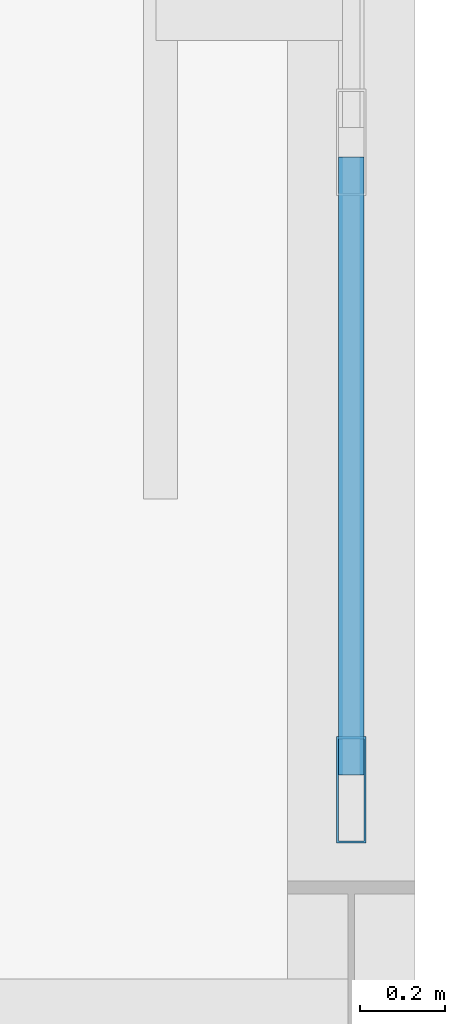
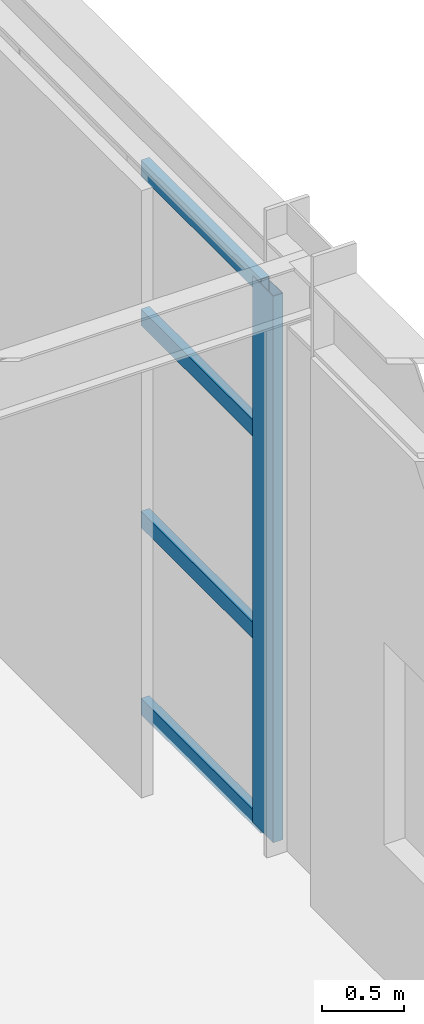
# One storey, part 42 of 83: 5 members, 1 element without a shape of its own.
"""IFC4 building model written with IfcOpenShell, lengths in metres."""

from ifc_helpers import new_model, si_unit, direction, frame, origin, origin_2d, place, context, subcontext, project, spatial, hollow_rectangle, extrude, material, layer, layer_set, material_profile, profile_set, type_object, element, aggregate, save


model = new_model("IFC4")

# Units and contexts
model_context = context("Model", 3, precision=1e-05, world=origin(), true_north=direction((0.0, 1.0)))
body_context = subcontext(model_context, "Body", "Model", "MODEL_VIEW")
ifc_project = project(units=[si_unit("LENGTHUNIT", "METRE"), si_unit("AREAUNIT", "SQUARE_METRE"), si_unit("VOLUMEUNIT", "CUBIC_METRE"), si_unit("PLANEANGLEUNIT", "RADIAN"), si_unit("MASSUNIT", "GRAM", prefix="KILO")], contexts=[model_context])

# Site, building, storey
site_placement = place(None, origin())
site = spatial("IfcSite", under=ifc_project, at=site_placement, CompositionType="ELEMENT")
building_placement = place(site_placement, origin())
building = spatial("IfcBuilding", under=site, at=building_placement, Name="Solvadek Multi-Sports Hall", CompositionType="ELEMENT")
storey_placement = place(building_placement, origin())
storey = spatial("IfcBuildingStorey", under=building, at=storey_placement, Name="L00", CompositionType="ELEMENT", Elevation=0.0)

# Curtain wall, members
ifc_material = material(Name="Anodised aluminium", Category="aluminium")
ifc_layer = layer(ifc_material, 0.159912109375, Name="Anodised aluminium")
ifc_layer_set = layer_set([ifc_layer], Name="Anodised aluminium")
curtain_wall_type = type_object("IfcCurtainWallType", Name="ENV-CW-624X405", PredefinedType="USERDEFINED", material=ifc_layer_set)
curtain_wall_placement = place(storey_placement, origin())
curtain_wall = element("IfcCurtainWall", 1, at=curtain_wall_placement, inside=storey, type_object=curtain_wall_type, Name="L00 Perimeter Bay Curtain Wall #144", ObjectType="CURTAIN WALL", PredefinedType="USERDEFINED")
ifc_material_profile_1 = material_profile(ifc_material, hollow_rectangle(XDim=0.070068359375, YDim=0.25, WallThickness=0.0048828125, at=origin_2d()), Name="ALU-M 250x70x5")
ifc_profile_set_1 = profile_set([ifc_material_profile_1], Name="Anodised aluminium")
member_type_1 = type_object("IfcMemberType", Name="ENV-CWM-05", PredefinedType="MULLION", material=ifc_profile_set_1)
member_1_placement = place(storey_placement, frame((161.39990234375, 49.715087890625, 0.0), z_axis=(0.0, 0.0, 1.0), x_axis=(-1.0, 0.0, 0.0)))
member_1 = element("IfcMember", 2, at=member_1_placement, type_object=member_type_1, Name="CW-52 mullion 1", PredefinedType="MULLION", context=body_context, shape_type="SweptSolid", body=[
    extrude(hollow_rectangle(XDim=0.070068359375, YDim=0.25, WallThickness=0.0048828125, at=origin_2d()), origin(), (0.0, 0.0, 1.0), 4.050048828125),
])
ifc_material_profile_2 = material_profile(ifc_material, hollow_rectangle(XDim=0.06005859375, YDim=0.1201171875, WallThickness=0.00390625, at=origin_2d()), Name="ALU-T 120x60x4")
ifc_profile_set_2 = profile_set([ifc_material_profile_2], Name="Anodised aluminium")
member_type_2 = type_object("IfcMemberType", Name="ENV-CWT-01", PredefinedType="USERDEFINED", material=ifc_profile_set_2)
member_2_placement = place(storey_placement, frame((161.39990234375, 49.75, 0.030029296875), z_axis=(0.0, 1.0, 0.0), x_axis=(-1.0, 0.0, 0.0)))
member_2 = element("IfcMember", 3, at=member_2_placement, type_object=member_type_2, Name="CW-52 transom 1.1", ObjectType="TRANSOM", PredefinedType="USERDEFINED", context=body_context, shape_type="SweptSolid", body=[
    extrude(hollow_rectangle(XDim=0.06005859375, YDim=0.1201171875, WallThickness=0.00390625, at=origin_2d()), origin(), (0.0, 0.0, 1.0), 1.455078125),
])
member_3_placement = place(storey_placement, frame((161.39990234375, 49.75, 1.4169921875), z_axis=(0.0, 1.0, 0.0), x_axis=(-1.0, 0.0, 0.0)))
member_3 = element("IfcMember", 4, at=member_3_placement, type_object=member_type_2, Name="CW-52 transom 1.2", ObjectType="TRANSOM", PredefinedType="USERDEFINED", context=body_context, shape_type="SweptSolid", body=[
    extrude(hollow_rectangle(XDim=0.06005859375, YDim=0.1201171875, WallThickness=0.00390625, at=origin_2d()), origin(), (0.0, 0.0, 1.0), 1.455078125),
])
member_4_placement = place(storey_placement, frame((161.39990234375, 49.75, 2.916015625), z_axis=(0.0, 1.0, 0.0), x_axis=(-1.0, 0.0, 0.0)))
member_4 = element("IfcMember", 5, at=member_4_placement, type_object=member_type_2, Name="CW-52 transom 1.3", ObjectType="TRANSOM", PredefinedType="USERDEFINED", context=body_context, shape_type="SweptSolid", body=[
    extrude(hollow_rectangle(XDim=0.06005859375, YDim=0.1201171875, WallThickness=0.00390625, at=origin_2d()), origin(), (0.0, 0.0, 1.0), 1.455078125),
])
member_5_placement = place(storey_placement, frame((161.39990234375, 49.75, 4.02001953125), z_axis=(0.0, 1.0, 0.0), x_axis=(-1.0, 0.0, 0.0)))
member_5 = element("IfcMember", 6, at=member_5_placement, type_object=member_type_2, Name="CW-52 transom 1.4", ObjectType="TRANSOM", PredefinedType="USERDEFINED", context=body_context, shape_type="SweptSolid", body=[
    extrude(hollow_rectangle(XDim=0.06005859375, YDim=0.1201171875, WallThickness=0.00390625, at=origin_2d()), origin(), (0.0, 0.0, 1.0), 1.455078125),
])
aggregate(curtain_wall, [member_1, member_2, member_3, member_4, member_5])

save(model, "model.ifc")
